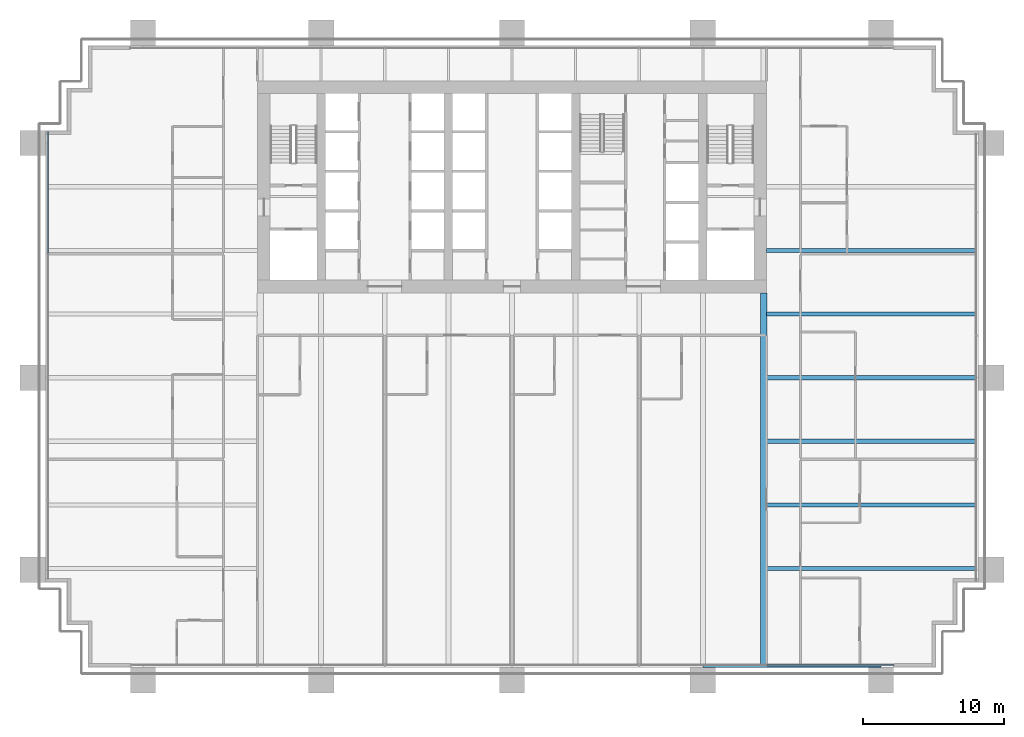
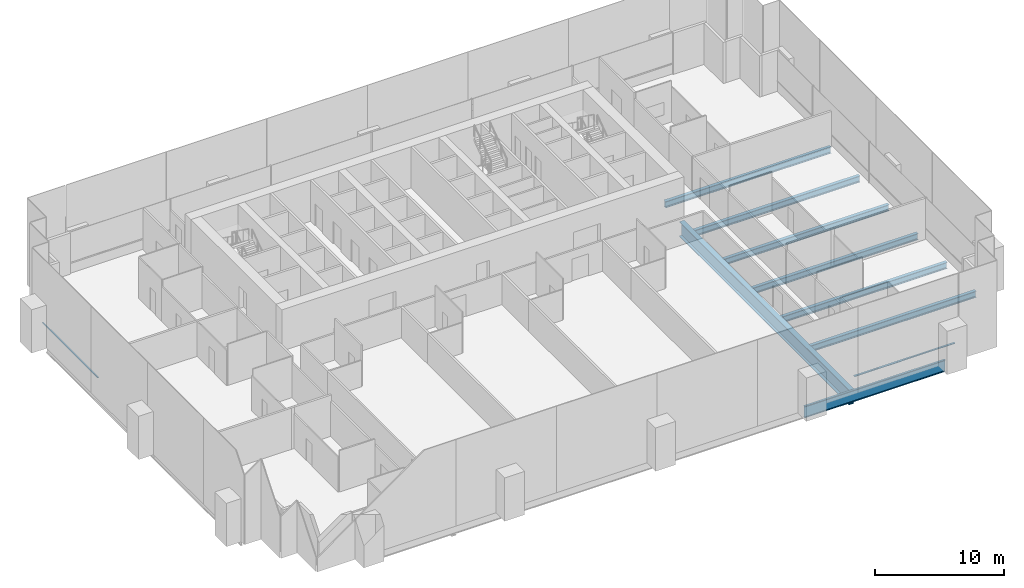
# One storey, part 6 of 18: 8 beams, 2 members, 2 elements without a shape of their own.
"""IFC4 building model written with IfcOpenShell, lengths in metres."""

from ifc_helpers import new_model, si_unit, direction, frame, origin, origin_2d, place, context, subcontext, project, spatial, rectangle, i_section, extrude, material, material_profile, profile_set, type_object, element, aggregate, save


model = new_model("IFC4")

# Units and contexts
model_context = context("Model", 3, precision=1e-05, world=origin(), true_north=direction((0.0, 1.0)))
body_context = subcontext(model_context, "Body", "Model", "MODEL_VIEW")
ifc_project = project(units=[si_unit("LENGTHUNIT", "METRE"), si_unit("AREAUNIT", "SQUARE_METRE"), si_unit("VOLUMEUNIT", "CUBIC_METRE"), si_unit("PLANEANGLEUNIT", "RADIAN"), si_unit("MASSUNIT", "GRAM", prefix="KILO")], contexts=[model_context])

# Site, building, storey
site_placement = place(None, origin())
site = spatial("IfcSite", under=ifc_project, at=site_placement, CompositionType="ELEMENT")
building_placement = place(site_placement, origin())
building = spatial("IfcBuilding", under=site, at=building_placement, Name="Rattan Terrace Tower", CompositionType="ELEMENT")
storey_placement = place(building_placement, frame((0.0, 0.0, 57.0)))
storey = spatial("IfcBuildingStorey", under=building, at=storey_placement, Name="L12", CompositionType="ELEMENT", Elevation=57.0)

# Curtain wall, member
ifc_material_1 = material(Name="Aluminium and glass", Category="aluminium")
curtain_wall_type = type_object("IfcCurtainWallType", Name="Facade Unitised Curtain Wall", PredefinedType="NOTDEFINED", material=ifc_material_1)
curtain_wall_1_placement = place(storey_placement, origin())
curtain_wall_1 = element("IfcCurtainWall", 1, at=curtain_wall_1_placement, inside=storey, type_object=curtain_wall_type, Name="Curtain wall L12-3", PredefinedType="NOTDEFINED")
ifc_material_2 = material(Name="Aluminium", Category="aluminium")
ifc_material_profile_1 = material_profile(ifc_material_2, rectangle(XDim=0.1201171875, YDim=0.06005859375, at=origin_2d()), Name="Aluminium 120x60")
ifc_profile_set_1 = profile_set([ifc_material_profile_1], Name="Aluminium")
member_type = type_object("IfcMemberType", Name="Facade CW Transom 120x60", PredefinedType="USERDEFINED", material=ifc_profile_set_1)
member_1_placement = place(storey_placement, frame((-32.830078125, 3.89501953125, 1.0), z_axis=(0.0, -1.0, 0.0), x_axis=(1.0, 0.0, 0.0)))
member_1 = element("IfcMember", 2, at=member_1_placement, type_object=member_type, Name="Transom cwl-L12-003.1", ObjectType="TRANSOM", PredefinedType="USERDEFINED", context=body_context, shape_type="SweptSolid", body=[
    extrude(rectangle(XDim=0.1201171875, YDim=0.06005859375, at=origin_2d()), origin(), (0.0, 0.0, 1.0), 8.592041015625),
])
aggregate(curtain_wall_1, [member_1])

curtain_wall_2_placement = place(storey_placement, origin())
curtain_wall_2 = element("IfcCurtainWall", 3, at=curtain_wall_2_placement, inside=storey, type_object=curtain_wall_type, Name="Curtain wall L12-4", PredefinedType="NOTDEFINED")
member_2_placement = place(storey_placement, frame((18.030029296875, -33.830078125, 1.0), z_axis=(1.0, 0.0, 0.0), x_axis=(0.0, 1.0, 0.0)))
member_2 = element("IfcMember", 4, at=member_2_placement, type_object=member_type, Name="Transom cwl-L12-004.6", ObjectType="TRANSOM", PredefinedType="USERDEFINED", context=body_context, shape_type="SweptSolid", body=[
    extrude(rectangle(XDim=0.1201171875, YDim=0.06005859375, at=origin_2d()), origin(), (0.0, 0.0, 1.0), 8.969970703125),
])
aggregate(curtain_wall_2, [member_2])

# Beams
ifc_material_3 = material(Name="Steel S460", Category="steel")
ifc_material_profile_2 = material_profile(ifc_material_3, i_section(OverallWidth=0.449951171875, OverallDepth=1.39990234375, WebThickness=0.02197265625, FlangeThickness=0.054931640625, at=origin_2d()), Name="PG 1400x450-22-55")
ifc_profile_set_2 = profile_set([ifc_material_profile_2], Name="Steel S460")
beam_type_1 = type_object("IfcBeamType", Name="Frame core girder PG 1400x450-22-55", PredefinedType="BEAM", material=ifc_profile_set_2)
beam_1_placement = place(storey_placement, frame((17.800048828125, -33.820068359375, -0.89990234375), z_axis=(0.0, 1.0, 0.0), x_axis=(-1.0, 0.0, 0.0)))
element("IfcBeam", 5, at=beam_1_placement, inside=storey, type_object=beam_type_1, Name="gdr-L12-014", PredefinedType="BEAM", context=body_context, shape_type="SweptSolid", body=[
    extrude(i_section(OverallWidth=0.449951171875, OverallDepth=1.39990234375, WebThickness=0.02197265625, FlangeThickness=0.054931640625, at=origin_2d()), origin(), (0.0, 0.0, 1.0), 26.320068359375),
])
ifc_material_4 = material(Name="Steel S460", Category="steel")
ifc_material_profile_3 = material_profile(ifc_material_4, i_section(OverallWidth=0.179931640625, OverallDepth=1.10009765625, WebThickness=0.01611328125, FlangeThickness=0.050048828125, at=origin_2d()), Name="PG 1100x180-16-50")
ifc_profile_set_3 = profile_set([ifc_material_profile_3], Name="Steel S460")
beam_type_2 = type_object("IfcBeamType", Name="Frame edge girder PG 1100x180-16-50", PredefinedType="SPANDREL", material=ifc_profile_set_3)
beam_2_placement = place(storey_placement, frame((13.5, -33.909912109375, -0.75), z_axis=(1.0, 0.0, 0.0), x_axis=(0.0, 1.0, 0.0)))
element("IfcBeam", 6, at=beam_2_placement, inside=storey, type_object=beam_type_2, Name="gdr-L12-004", PredefinedType="SPANDREL", context=body_context, shape_type="SweptSolid", body=[
    extrude(i_section(OverallWidth=0.179931640625, OverallDepth=1.10009765625, WebThickness=0.01611328125, FlangeThickness=0.050048828125, at=origin_2d()), origin(), (0.0, 0.0, 1.0), 12.60009765625),
])
ifc_material_5 = material(Name="Steel S355", Category="steel")
ifc_material_profile_4 = material_profile(ifc_material_5, i_section(OverallWidth=0.300048828125, OverallDepth=0.60009765625, WebThickness=0.015380859375, FlangeThickness=0.030029296875, FilletRadius=0.027099609375, at=origin_2d()), Name="HE 600 B")
ifc_profile_set_4 = profile_set([ifc_material_profile_4], Name="Steel S355")
beam_type_3 = type_object("IfcBeamType", Name="Frame floor beam HE 600 B", PredefinedType="JOIST", material=ifc_profile_set_4)
for number, where, z_axis, x_axis, name in (
    (7, (18.0, -27.0, -0.5), (1.0, 0.0, 0.0), (0.0, 1.0, 0.0), "bm-L12-011"),
    (8, (18.0, -22.5, -0.5), (1.0, 0.0, 0.0), (0.0, 1.0, 0.0), "bm-L12-013"),
    (9, (18.0, -18.0, -0.5), (1.0, 0.0, 0.0), (0.0, 1.0, 0.0), "bm-L12-015"),
    (10, (18.0, -13.5, -0.5), (1.0, 0.0, 0.0), (0.0, 1.0, 0.0), "bm-L12-017"),
    (11, (18.0, -9.0, -0.5), (1.0, 0.0, 0.0), (0.0, 1.0, 0.0), "bm-L12-019"),
    (12, (18.0, -4.5, -0.5), (1.0, 0.0, 0.0), (0.0, 1.0, 0.0), "bm-L12-021"),
):
    element("IfcBeam", number, at=place(storey_placement, frame(where, z_axis=z_axis, x_axis=x_axis)), inside=storey, type_object=beam_type_3, Name=name, PredefinedType="JOIST", context=body_context, shape_type="SweptSolid", body=[
        extrude(i_section(OverallWidth=0.300048828125, OverallDepth=0.60009765625, WebThickness=0.015380859375, FlangeThickness=0.030029296875, FilletRadius=0.027099609375, at=origin_2d()), origin(), (0.0, 0.0, 1.0), 14.820068359375),
    ])

save(model, "model.ifc")
